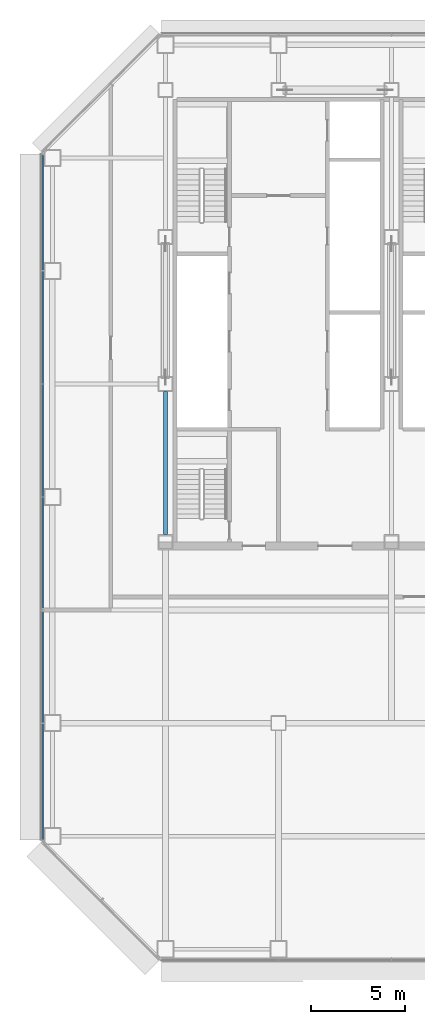
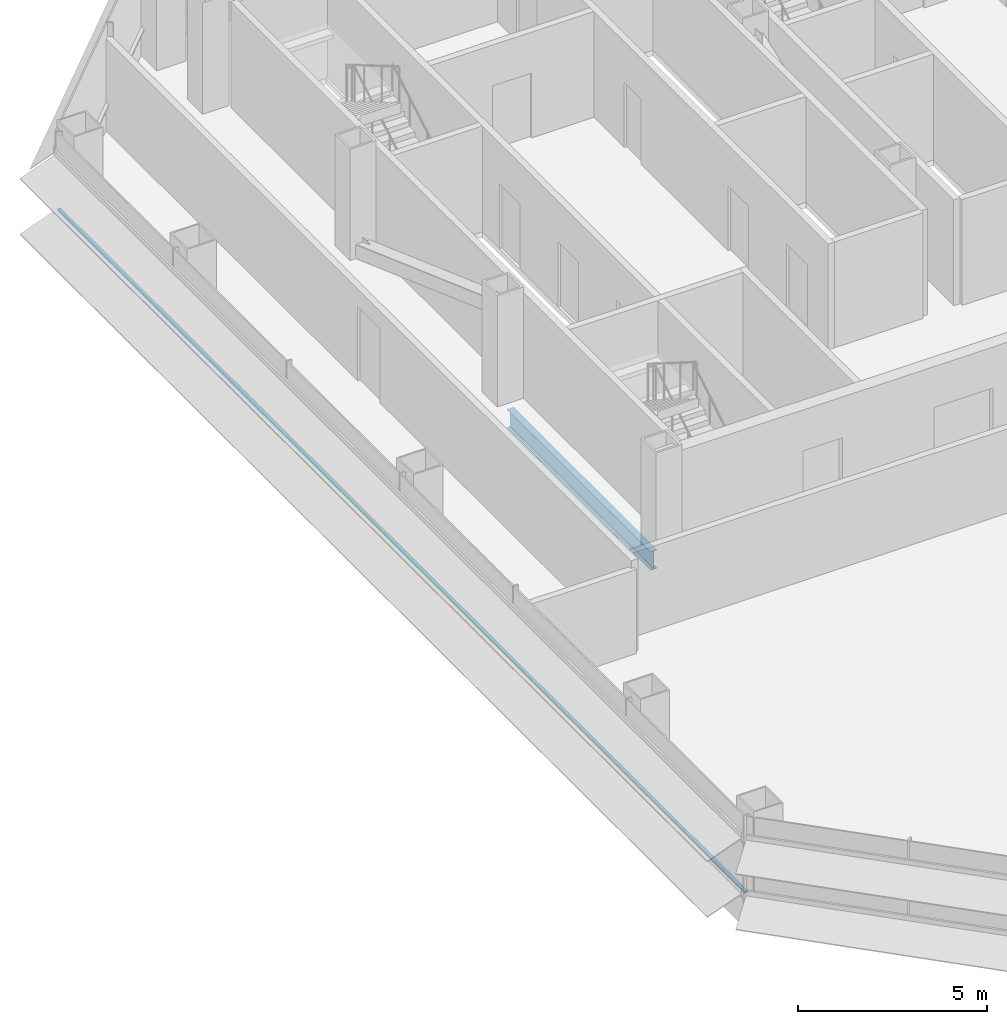
# One storey, part 5 of 27: 1 beam, 1 member, 1 element without a shape of its own.
"""IFC4 building model written with IfcOpenShell, lengths in metres."""

from ifc_helpers import new_model, si_unit, direction, frame, origin, origin_2d, place, context, subcontext, project, spatial, rectangle, i_section, extrude, material, material_profile, profile_set, type_object, element, aggregate, save


model = new_model("IFC4")

# Units and contexts
model_context = context("Model", 3, precision=1e-05, world=origin(), true_north=direction((0.0, 1.0)))
body_context = subcontext(model_context, "Body", "Model", "MODEL_VIEW")
ifc_project = project(units=[si_unit("LENGTHUNIT", "METRE"), si_unit("AREAUNIT", "SQUARE_METRE"), si_unit("VOLUMEUNIT", "CUBIC_METRE"), si_unit("PLANEANGLEUNIT", "RADIAN"), si_unit("MASSUNIT", "GRAM", prefix="KILO")], contexts=[model_context])

# Site, building, storey
site_placement = place(None, origin())
site = spatial("IfcSite", under=ifc_project, at=site_placement, CompositionType="ELEMENT")
building_placement = place(site_placement, origin())
building = spatial("IfcBuilding", under=site, at=building_placement, Name="Sorahane Residences", CompositionType="ELEMENT")
storey_placement = place(building_placement, frame((0.0, 0.0, 82.199951171875)))
storey = spatial("IfcBuildingStorey", under=building, at=storey_placement, Name="L17", CompositionType="ELEMENT", Elevation=82.199951171875)

# Curtain wall, member
ifc_material_1 = material(Name="Dark low-e glass and black anodised aluminium", Category="aluminium")
curtain_wall_type = type_object("IfcCurtainWallType", Name="Curtain wall CW-1 Typical unitised wall", PredefinedType="NOTDEFINED", material=ifc_material_1)
curtain_wall_placement = place(storey_placement, origin())
curtain_wall = element("IfcCurtainWall", 1, at=curtain_wall_placement, inside=storey, type_object=curtain_wall_type, Name="CW-1 curtain wall L17 W2", PredefinedType="NOTDEFINED")
ifc_material_2 = material(Name="Black anodised aluminium", Category="aluminium")
ifc_material_profile_1 = material_profile(ifc_material_2, rectangle(XDim=0.10009765625, YDim=0.06005859375, at=origin_2d()), Name="Curtain wall transom CW-1 black anodised aluminium 60x100")
ifc_profile_set_1 = profile_set([ifc_material_profile_1], Name="Black anodised aluminium")
member_type = type_object("IfcMemberType", Name="Curtain wall transom CW-1 black anodised aluminium 60x100", PredefinedType="USERDEFINED", material=ifc_profile_set_1)
member_placement = place(storey_placement, frame((-0.530029296875, 42.198486328125, 0.900146484375), z_axis=(0.0, -1.0, 0.0), x_axis=(1.0, 0.0, 0.0)))
member = element("IfcMember", 2, at=member_placement, type_object=member_type, Name="CW-1 transom L17 W2", ObjectType="TRANSOM", PredefinedType="USERDEFINED", context=body_context, shape_type="SweptSolid", body=[
    extrude(rectangle(XDim=0.10009765625, YDim=0.06005859375, at=origin_2d()), origin(), (0.0, 0.0, 1.0), 36.39697265625),
])
aggregate(curtain_wall, [member])

# Beam
ifc_material_3 = material(Name="Steel Q355B", Category="steel")
ifc_material_profile_2 = material_profile(ifc_material_3, i_section(OverallWidth=0.199951171875, OverallDepth=0.60009765625, WebThickness=0.010986328125, FlangeThickness=0.01708984375, FilletRadius=0.02392578125, at=origin_2d()), Name="HN 600x200x11x17")
ifc_profile_set_2 = profile_set([ifc_material_profile_2], Name="Steel Q355B")
beam_type = type_object("IfcBeamType", Name="Steel floor beam HN 600x200x11x17 Q355B", PredefinedType="BEAM", material=ifc_profile_set_2)
beam_placement = place(storey_placement, frame((6.0, 22.0, -0.47998046875), z_axis=(0.0, 1.0, 0.0), x_axis=(-1.0, 0.0, 0.0)))
element("IfcBeam", 3, at=beam_placement, inside=storey, type_object=beam_type, Name="Beam L17 023", PredefinedType="BEAM", context=body_context, shape_type="SweptSolid", body=[
    extrude(i_section(OverallWidth=0.199951171875, OverallDepth=0.60009765625, WebThickness=0.010986328125, FlangeThickness=0.01708984375, FilletRadius=0.02392578125, at=origin_2d()), origin(), (0.0, 0.0, 1.0), 7.60009765625),
])

save(model, "model.ifc")
